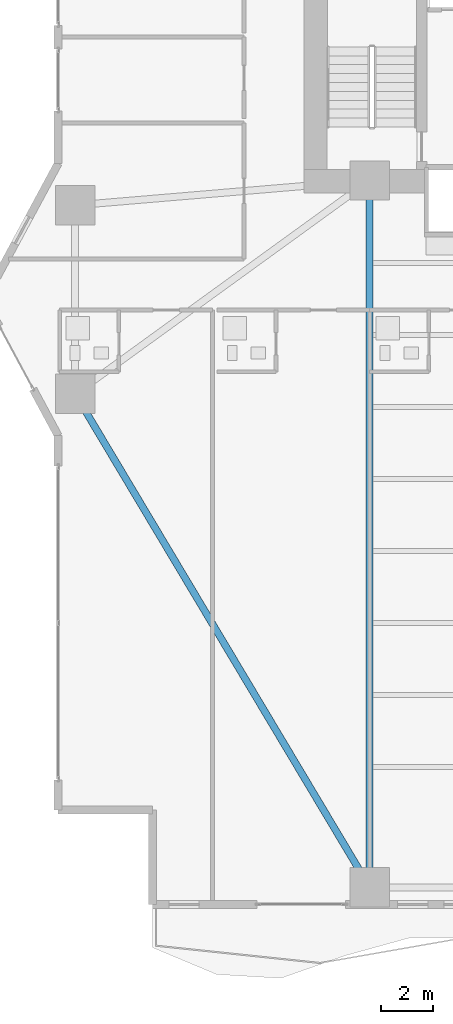
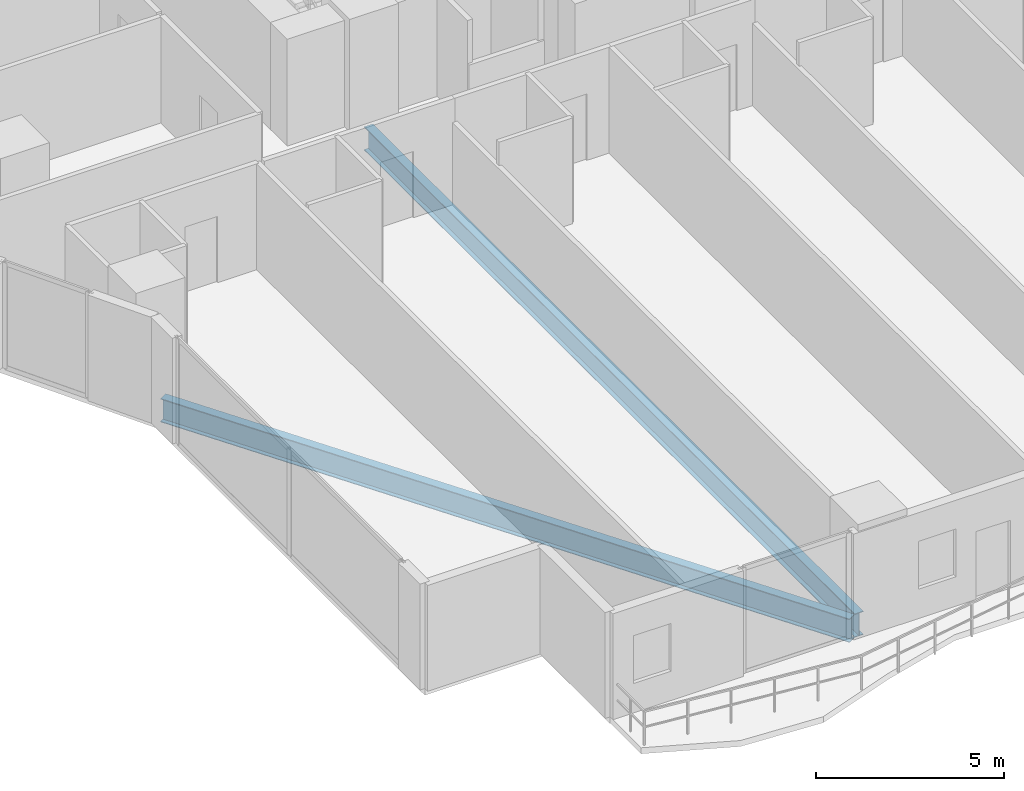
# One storey, part 3 of 29: 2 beams.
"""IFC4 building model written with IfcOpenShell, lengths in metres."""

from ifc_helpers import new_model, si_unit, direction, frame, origin, origin_2d, place, context, subcontext, project, spatial, i_section, extrude, material, material_profile, profile_set, type_object, element, save


model = new_model("IFC4")

# Units and contexts
model_context = context("Model", 3, precision=1e-05, world=origin(), true_north=direction((0.0, 1.0)))
body_context = subcontext(model_context, "Body", "Model", "MODEL_VIEW")
ifc_project = project(units=[si_unit("LENGTHUNIT", "METRE"), si_unit("AREAUNIT", "SQUARE_METRE"), si_unit("VOLUMEUNIT", "CUBIC_METRE"), si_unit("PLANEANGLEUNIT", "RADIAN"), si_unit("MASSUNIT", "GRAM", prefix="KILO")], contexts=[model_context])

# Site, building, storey
site_placement = place(None, origin())
site = spatial("IfcSite", under=ifc_project, at=site_placement, CompositionType="ELEMENT")
building_placement = place(site_placement, origin())
building = spatial("IfcBuilding", under=site, at=building_placement, Name="Zuhayl Quay Hotel", CompositionType="ELEMENT")
storey_placement = place(building_placement, frame((0.0, 0.0, 64.10009765625)))
storey = spatial("IfcBuildingStorey", under=building, at=storey_placement, Name="L15", CompositionType="ELEMENT", Elevation=64.10009765625)

# Beams
ifc_material = material(Name="Steel ASTM A992 Grade 50", Category="steel")
ifc_material_profile = material_profile(ifc_material, i_section(OverallWidth=0.26708984375, OverallDepth=0.761962890625, WebThickness=0.014404296875, FlangeThickness=0.021484375, at=origin_2d()), Name="W30X116")
ifc_profile_set = profile_set([ifc_material_profile], Name="Steel ASTM A992 Grade 50")
beam_type = type_object("IfcBeamType", Name="BM_B1_W30X116", PredefinedType="BEAM", material=ifc_profile_set)
beam_1_placement = place(storey_placement, frame((-24.793701171875, -4.029296875, -0.60107421875), z_axis=(0.512482593247, -0.85869761361, 0.0), x_axis=(0.85869761361, 0.512482593247, 0.0)))
element("IfcBeam", 1, at=beam_1_placement, inside=storey, type_object=beam_type, Name="L15 Floor Beam RG_L15_12", PredefinedType="BEAM", context=body_context, shape_type="SweptSolid", body=[
    extrude(i_section(OverallWidth=0.26708984375, OverallDepth=0.761962890625, WebThickness=0.014404296875, FlangeThickness=0.021484375, at=origin_2d()), origin(), (0.0, 0.0, 1.0), 20.9521484375),
])
beam_2_placement = place(storey_placement, frame((-13.800048828125, -21.949951171875, -0.60107421875), z_axis=(0.0, 1.0, 0.0), x_axis=(-1.0, 0.0, 0.0)))
element("IfcBeam", 2, at=beam_2_placement, inside=storey, type_object=beam_type, Name="L15 Floor Beam FG_S_L15_1", PredefinedType="BEAM", context=body_context, shape_type="SweptSolid", body=[
    extrude(i_section(OverallWidth=0.26708984375, OverallDepth=0.761962890625, WebThickness=0.014404296875, FlangeThickness=0.021484375, at=origin_2d()), origin(), (0.0, 0.0, 1.0), 26.050048828125),
])

save(model, "model.ifc")
